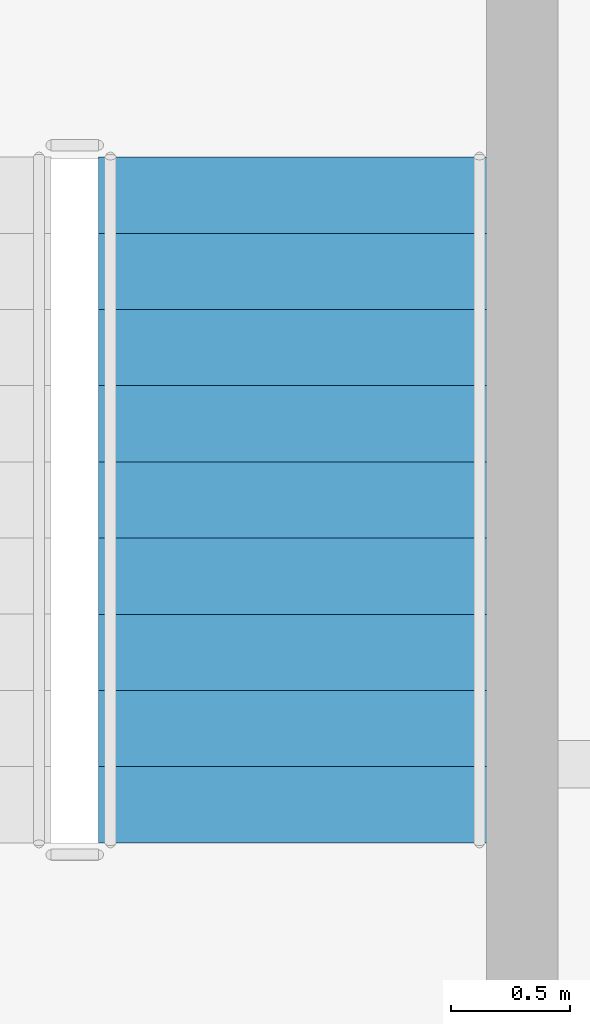
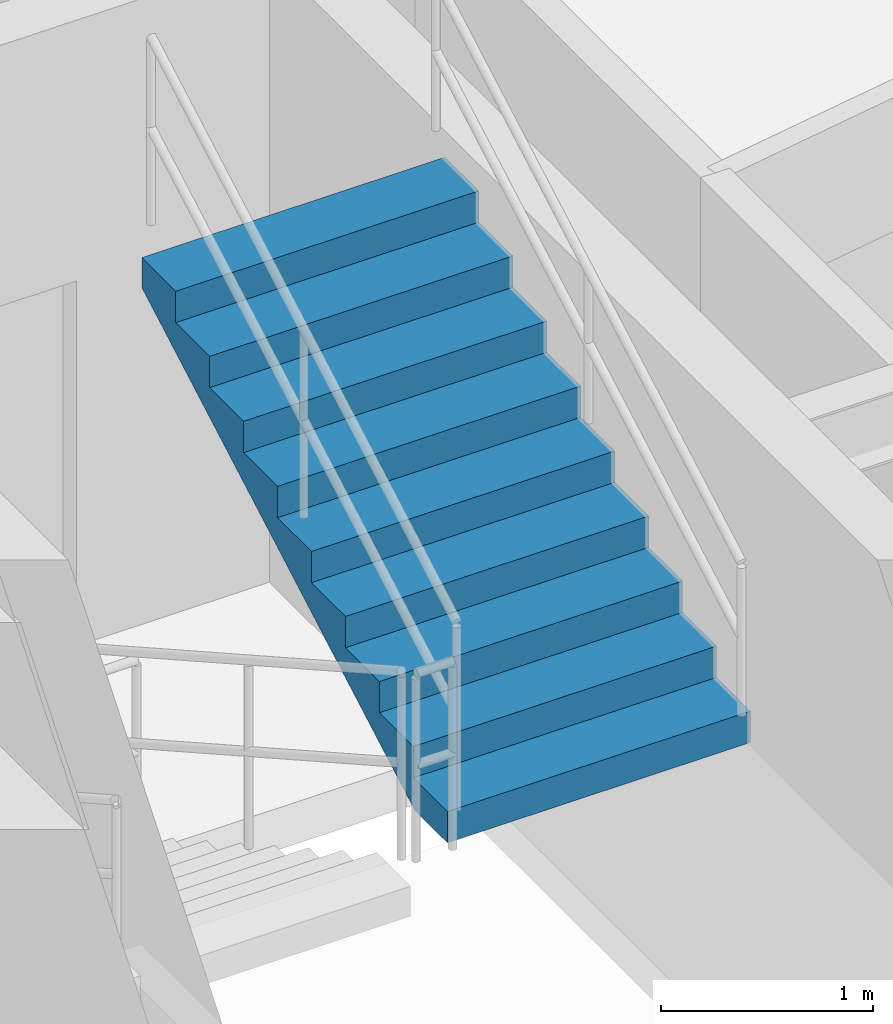
# One storey, part 16 of 17: 1 stair flight, 1 element without a shape of its own.
"""IFC4 building model written with IfcOpenShell, lengths in metres."""

import ifcopenshell
import ifcopenshell.guid

model = None  # the IFC model being written
_history = None  # IfcOwnerHistory: only IFC2X3 demands one
_inside = {}  # id of a spatial element -> (the spatial element, [elements in it])
_under = {}  # id of a project, library or spatial element -> (it, [spatial elements below it])
_declared = {}  # id of a project -> (the project, [libraries it declares])
_typed = {}  # id of a type object -> (the type object, [elements of that type])
_made_of = {}  # id of a material, layer set ... -> (it, [elements and type objects made of it])


def new_model(schema):
    """Start an empty IFC model of exactly this schema.

    Asked for "IFC4X3", IfcOpenShell would pick the latest addendum, in which some entities
    have other attributes; the version numbers below select the first issue.
    IFC2X3 requires an IfcOwnerHistory on every rooted entity: one is made here for all.
    """
    global model, _history
    if schema == "IFC4X3":
        model = ifcopenshell.file(schema_version=(4, 3, 0, 0))
    else:
        model = ifcopenshell.file(schema=schema)
    _inside.clear()
    _under.clear()
    _declared.clear()
    _typed.clear()
    _made_of.clear()
    _history = None
    if model.schema == "IFC2X3":
        org = make("IfcOrganization", Name="unknown")
        user = make(
            "IfcPersonAndOrganization",
            ThePerson=make("IfcPerson", FamilyName="unknown"),
            TheOrganization=org,
        )
        app = make(
            "IfcApplication",
            ApplicationDeveloper=org,
            Version="unknown",
            ApplicationFullName="unknown",
            ApplicationIdentifier="unknown",
        )
        _history = make(
            "IfcOwnerHistory",
            OwningUser=user,
            OwningApplication=app,
            ChangeAction="ADDED",
            CreationDate=0,
        )
    return model


def make(cls, **values):
    """One entity of the class cls with the attributes given. An attribute that is None is left unset."""
    return model.create_entity(
        cls, **{name: value for name, value in values.items() if value is not None}
    )


def rooted(cls, **values):
    """An entity with a GlobalId (a new one), such as an element, a storey or a relation."""
    return make(cls, GlobalId=ifcopenshell.guid.new(), OwnerHistory=_history, **values)


def si_unit(unit_type, name, prefix=None):
    """IfcSIUnit, for example si_unit("LENGTHUNIT", "METRE", prefix="MILLI")."""
    return make("IfcSIUnit", UnitType=unit_type, Prefix=prefix, Name=name)


def assignment(units):
    """IfcUnitAssignment: the units of a project."""
    return None if units is None else make("IfcUnitAssignment", Units=units)


def point(xyz):
    """IfcCartesianPoint."""
    return None if xyz is None else make("IfcCartesianPoint", Coordinates=xyz)


def direction(xyz):
    """IfcDirection."""
    return None if xyz is None else make("IfcDirection", DirectionRatios=xyz)


def frame(location, z_axis=None, x_axis=None):
    """IfcAxis2Placement3D, a coordinate frame: its origin and axes. An axis left out is left unset."""
    return make(
        "IfcAxis2Placement3D",
        Location=point(location),
        Axis=direction(z_axis),
        RefDirection=direction(x_axis),
    )


def origin():
    """The frame at (0, 0, 0) with its axes left unset."""
    return frame((0.0, 0.0, 0.0))


def place(relative_to, where):
    """IfcLocalPlacement: puts the frame where relative to a parent placement (None: the world)."""
    return make(
        "IfcLocalPlacement", PlacementRelTo=relative_to, RelativePlacement=where
    )


def context(
    kind, dimensions, precision=None, world=None, true_north=None, identifier=None
):
    """IfcGeometricRepresentationContext, for example the 3D "Model" context."""
    return make(
        "IfcGeometricRepresentationContext",
        ContextIdentifier=identifier,
        ContextType=kind,
        CoordinateSpaceDimension=dimensions,
        Precision=precision,
        WorldCoordinateSystem=world,
        TrueNorth=true_north,
    )


def subcontext(parent, identifier, kind, view, scale=None):
    """IfcGeometricRepresentationSubContext, for example "Body" below "Model"."""
    return make(
        "IfcGeometricRepresentationSubContext",
        ContextIdentifier=identifier,
        ContextType=kind,
        ParentContext=parent,
        TargetScale=scale,
        TargetView=view,
    )


def project(units=None, contexts=None):
    """IfcProject with its units and contexts."""
    return rooted(
        "IfcProject",
        Name="project",
        RepresentationContexts=contexts,
        UnitsInContext=assignment(units),
    )


def spatial(cls, under=None, at=None, **own):
    """A site, building, storey or space (cls), placed at a placement, below another one or the project."""
    s = rooted(cls, ObjectPlacement=at, **own)
    if under is not None:
        _under.setdefault(under.id(), (under, []))[1].append(s)
    return s


def polyline(points):
    """IfcPolyline through the points."""
    return make("IfcPolyline", Points=[point(p) for p in points])


def outline(outer, holes=None, kind="AREA"):
    """IfcArbitraryClosedProfileDef: a profile drawn as a closed curve; with holes, ...WithVoids."""
    if holes is None:
        return make("IfcArbitraryClosedProfileDef", ProfileType=kind, OuterCurve=outer)
    return make(
        "IfcArbitraryProfileDefWithVoids",
        ProfileType=kind,
        OuterCurve=outer,
        InnerCurves=holes,
    )


def extrude(swept, where, along, depth):
    """IfcExtrudedAreaSolid: the profile swept, set in the frame where, extruded along a direction by depth."""
    return make(
        "IfcExtrudedAreaSolid",
        SweptArea=swept,
        Position=where,
        ExtrudedDirection=direction(along),
        Depth=depth,
    )


def shape(context_of_items, identifier, shape_type, items):
    """IfcShapeRepresentation: the items that make up one representation, for example the "Body"."""
    return make(
        "IfcShapeRepresentation",
        ContextOfItems=context_of_items,
        RepresentationIdentifier=identifier,
        RepresentationType=shape_type,
        Items=items,
    )


def material(Name=None, Category=None):
    """IfcMaterial."""
    return make("IfcMaterial", Name=Name, Category=Category)


def made_of(thing, what):
    """Note that an element or type object is made of a material, layer set ...; save() writes the relation."""
    if what is not None:
        _made_of.setdefault(what.id(), (what, []))[1].append(thing)
    return thing


def type_object(cls, material=None, **own):
    """A type object (cls), such as IfcWallType, which elements share."""
    return made_of(rooted(cls, **own), material)


def element(
    cls,
    number,
    at=None,
    inside=None,
    cuts=None,
    type_object=None,
    material=None,
    context=None,
    identifier="Body",
    shape_type=None,
    held_by="IfcProductDefinitionShape",
    body=None,
    shapes=None,
    **own,
):
    """One element of the class cls, such as IfcWall. Its Tag is "e" and its number.

    at: its placement. inside: the storey or other place that contains it. cuts: it is an
    opening in that element (IfcRelVoidsElement). A single representation is given by context,
    identifier, shape_type and body (its items); several are given by shapes. held_by: the class
    of the entity that holds the representations. save() writes the other relations.
    """
    e = rooted(cls, Tag="e%d" % number, ObjectPlacement=at, **own)
    if body is not None:
        shapes = [shape(context, identifier, shape_type, body)]
    if shapes is not None:
        e.Representation = make(held_by, Representations=shapes)
    if inside is not None:
        _inside.setdefault(inside.id(), (inside, []))[1].append(e)
    if cuts is not None:
        rooted(
            "IfcRelVoidsElement", RelatingBuildingElement=cuts, RelatedOpeningElement=e
        )
    if type_object is not None:
        _typed.setdefault(type_object.id(), (type_object, []))[1].append(e)
    return made_of(e, material)


def aggregate(whole, parts):
    """IfcRelAggregates: a whole, such as a stair, and the parts it consists of."""
    return rooted("IfcRelAggregates", RelatingObject=whole, RelatedObjects=parts)


def save(model, path):
    """Write the relations noted so far, then the file.

    IfcRelAggregates (storeys below a building ...), IfcRelContainedInSpatialStructure (elements
    in a storey), IfcRelDefinesByType, IfcRelAssociatesMaterial and IfcRelDeclares: one each for
    every whole, place, type object, material and project.
    """
    for whole, parts in _under.values():
        aggregate(whole, parts)
    for where, things in _inside.values():
        rooted(
            "IfcRelContainedInSpatialStructure",
            RelatedElements=things,
            RelatingStructure=where,
        )
    for kind, things in _typed.values():
        rooted("IfcRelDefinesByType", RelatedObjects=things, RelatingType=kind)
    for what, things in _made_of.values():
        rooted("IfcRelAssociatesMaterial", RelatedObjects=things, RelatingMaterial=what)
    for by, libraries in _declared.values():
        rooted("IfcRelDeclares", RelatingContext=by, RelatedDefinitions=libraries)
    model.write(path)


model = new_model("IFC4")

# Units and contexts
model_context = context("Model", 3, precision=1e-05, world=origin(), true_north=direction((0.0, 1.0)))
body_context = subcontext(model_context, "Body", "Model", "MODEL_VIEW")
ifc_project = project(units=[si_unit("LENGTHUNIT", "METRE"), si_unit("AREAUNIT", "SQUARE_METRE"), si_unit("VOLUMEUNIT", "CUBIC_METRE"), si_unit("PLANEANGLEUNIT", "RADIAN"), si_unit("MASSUNIT", "GRAM", prefix="KILO")], contexts=[model_context])

# Site, building, storey
site_placement = place(None, origin())
site = spatial("IfcSite", under=ifc_project, at=site_placement, CompositionType="ELEMENT")
building_placement = place(site_placement, origin())
building = spatial("IfcBuilding", under=site, at=building_placement, Name="Veldorina Hangang Commons", CompositionType="ELEMENT")
storey_placement = place(building_placement, frame((0.0, 0.0, 229.199951171875)))
storey = spatial("IfcBuildingStorey", under=building, at=storey_placement, Name="L59", CompositionType="ELEMENT", Elevation=229.199951171875)

# Stair, stair flight
ifc_material = material(Name="Concrete C40/50", Category="concrete")
stair_type = type_object("IfcStairType", Name="STR-DOG-1650-20R", PredefinedType="HALF_TURN_STAIR", material=ifc_material)
stair_placement = place(storey_placement, origin())
stair = element("IfcStair", 1, at=stair_placement, inside=storey, type_object=stair_type, Name="L59 Exit stair ST-2", PredefinedType="HALF_TURN_STAIR")
stair_flight_type = type_object("IfcStairFlightType", Name="SFL-STR-1650-20R", PredefinedType="STRAIGHT", material=ifc_material)
stair_flight_placement = place(storey_placement, frame((42.22509765625, 23.669921875, 1.800048828125), z_axis=(0.0, 0.0, 1.0), x_axis=(0.0, 1.0, 0.0)))
stair_flight = element("IfcStairFlight", 2, at=stair_flight_placement, type_object=stair_flight_type, Name="ST-2 flight 2", NumberOfRisers=10, NumberOfTreads=9, PredefinedType="STRAIGHT", RiserHeight=0.18, TreadLength=0.32, context=body_context, shape_type="SweptSolid", body=[
    extrude(outline(polyline([(0.0, 0.0), (0.0, 0.179931640625), (0.320068359375, 0.179931640625), (0.320068359375, 0.360107421875), (0.639892578125, 0.360107421875), (0.639892578125, 0.5400390625), (0.9599609375, 0.5400390625), (0.9599609375, 0.719970703125), (1.280029296875, 0.719970703125), (1.280029296875, 0.89990234375), (1.60009765625, 0.89990234375), (1.60009765625, 1.080078125), (1.919921875, 1.080078125), (1.919921875, 1.260009765625), (2.239990234375, 1.260009765625), (2.239990234375, 1.43994140625), (2.56005859375, 1.43994140625), (2.56005859375, 1.6201171875), (2.8798828125, 1.6201171875), (2.8798828125, 1.800048828125), (2.8798828125, 1.447998046875), (0.3056640625, 0.0), (0.0, 0.0)])), frame((0.0, 0.824951171875, 0.0), z_axis=(0.0, -1.0, 0.0), x_axis=(1.0, 0.0, 0.0)), (0.0, 0.0, 1.0), 1.64990234375),
])
aggregate(stair, [stair_flight])

save(model, "model.ifc")
